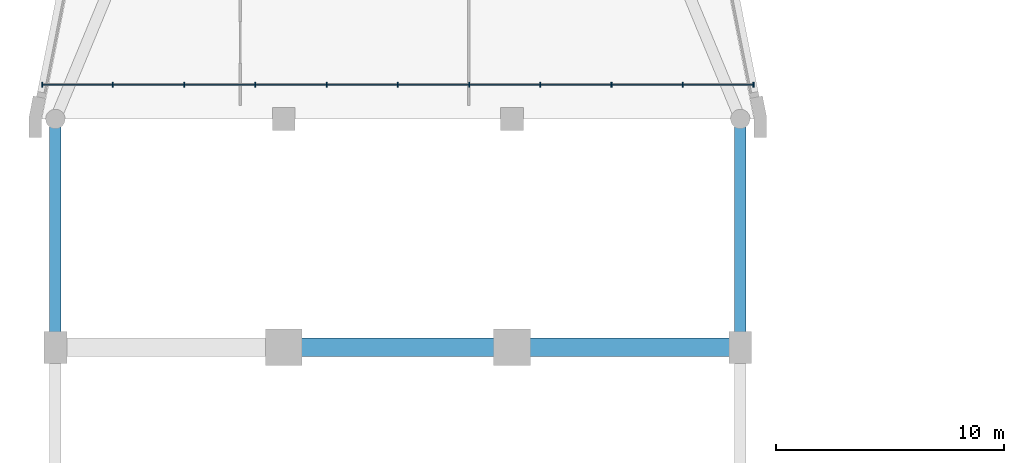
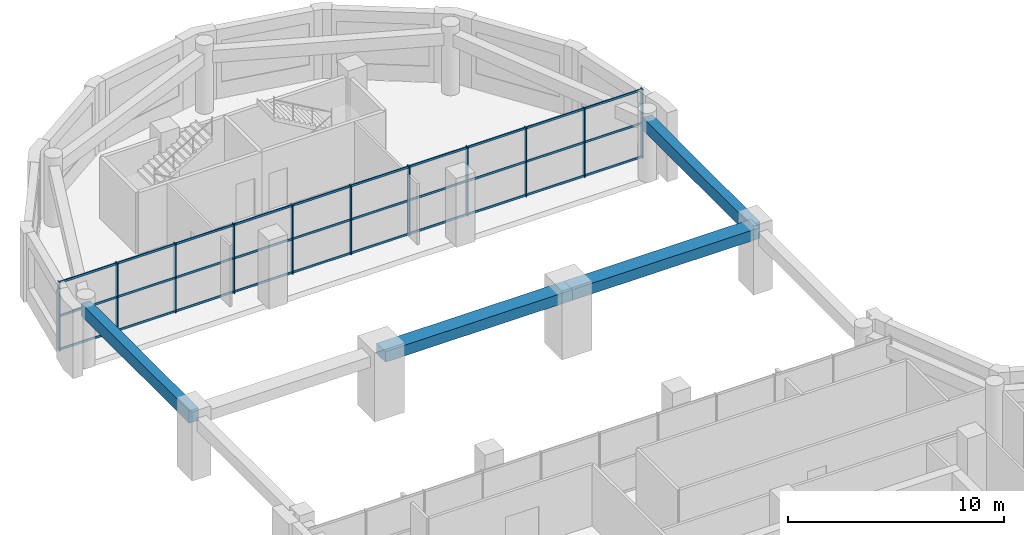
# One storey, part 3 of 11: 41 members, 4 beams, 1 element without a shape of its own.
"""IFC4 building model written with IfcOpenShell, lengths in metres."""

from ifc_helpers import new_model, si_unit, direction, frame, origin, origin_2d, place, context, subcontext, project, spatial, rectangle, extrude, material, layer, layer_set, material_profile, profile_set, type_object, element, aggregate, save


model = new_model("IFC4")

# Units and contexts
model_context = context("Model", 3, precision=1e-05, world=origin(), true_north=direction((0.0, 1.0)))
body_context = subcontext(model_context, "Body", "Model", "MODEL_VIEW")
ifc_project = project(units=[si_unit("LENGTHUNIT", "METRE"), si_unit("AREAUNIT", "SQUARE_METRE"), si_unit("VOLUMEUNIT", "CUBIC_METRE"), si_unit("PLANEANGLEUNIT", "RADIAN"), si_unit("MASSUNIT", "GRAM", prefix="KILO")], contexts=[model_context])

# Site, building, storey
site_placement = place(None, origin())
site = spatial("IfcSite", under=ifc_project, at=site_placement, CompositionType="ELEMENT")
building_placement = place(site_placement, origin())
building = spatial("IfcBuilding", under=site, at=building_placement, Name="Qaws Garden Tower", CompositionType="ELEMENT")
storey_placement = place(building_placement, frame((0.0, 0.0, 329.39990234375)))
storey = spatial("IfcBuildingStorey", under=building, at=storey_placement, Name="L80", CompositionType="ELEMENT", Elevation=329.39990234375)

# Curtain wall, members
ifc_material_1 = material(Name="Anodised aluminium curtain wall frame", Category="aluminium")
ifc_layer = layer(ifc_material_1, 0.159912109375)
ifc_layer_set = layer_set([ifc_layer], Name="Anodised aluminium curtain wall frame")
curtain_wall_type = type_object("IfcCurtainWallType", Name="CW5 portal screen curtain wall", PredefinedType="NOTDEFINED", material=ifc_layer_set)
curtain_wall_placement = place(storey_placement, origin())
curtain_wall = element("IfcCurtainWall", 1, at=curtain_wall_placement, inside=storey, type_object=curtain_wall_type, Name="CW5 Portal screen 1", PredefinedType="NOTDEFINED")
ifc_material_2 = material(Name="Anodised aluminium curtain wall frame", Category="aluminium")
ifc_material_profile_1 = material_profile(ifc_material_2, rectangle(XDim=0.199951171875, YDim=0.050048828125, at=origin_2d()), Name="AL 50x200")
ifc_profile_set_1 = profile_set([ifc_material_profile_1], Name="Anodised aluminium curtain wall frame")
member_type_1 = type_object("IfcMemberType", Name="CW5 mullion 50 x 200", PredefinedType="MULLION", material=ifc_profile_set_1)
member_1_placement = place(storey_placement, frame((-0.574951171875, 61.5, 0.0), z_axis=(0.0, 0.0, 1.0), x_axis=(0.0, 1.0, 0.0)))
member_1 = element("IfcMember", 2, at=member_1_placement, type_object=member_type_1, Name="CW5 mullion 1", PredefinedType="MULLION", context=body_context, shape_type="SweptSolid", body=[
    extrude(rectangle(XDim=0.199951171875, YDim=0.050048828125, at=origin_2d()), origin(), (0.0, 0.0, 1.0), 3.900146484375),
])
member_2_placement = place(storey_placement, frame((2.52001953125, 61.5, 0.0), z_axis=(0.0, 0.0, 1.0), x_axis=(0.0, 1.0, 0.0)))
member_2 = element("IfcMember", 3, at=member_2_placement, type_object=member_type_1, Name="CW5 mullion 2", PredefinedType="MULLION", context=body_context, shape_type="SweptSolid", body=[
    extrude(rectangle(XDim=0.199951171875, YDim=0.050048828125, at=origin_2d()), origin(), (0.0, 0.0, 1.0), 3.900146484375),
])
member_3_placement = place(storey_placement, frame((5.639892578125, 61.5, 0.0), z_axis=(0.0, 0.0, 1.0), x_axis=(0.0, 1.0, 0.0)))
member_3 = element("IfcMember", 4, at=member_3_placement, type_object=member_type_1, Name="CW5 mullion 3", PredefinedType="MULLION", context=body_context, shape_type="SweptSolid", body=[
    extrude(rectangle(XDim=0.199951171875, YDim=0.050048828125, at=origin_2d()), origin(), (0.0, 0.0, 1.0), 3.900146484375),
])
member_4_placement = place(storey_placement, frame((8.760009765625, 61.5, 0.0), z_axis=(0.0, 0.0, 1.0), x_axis=(0.0, 1.0, 0.0)))
member_4 = element("IfcMember", 5, at=member_4_placement, type_object=member_type_1, Name="CW5 mullion 4", PredefinedType="MULLION", context=body_context, shape_type="SweptSolid", body=[
    extrude(rectangle(XDim=0.199951171875, YDim=0.050048828125, at=origin_2d()), origin(), (0.0, 0.0, 1.0), 3.900146484375),
])
member_5_placement = place(storey_placement, frame((11.8798828125, 61.5, 0.0), z_axis=(0.0, 0.0, 1.0), x_axis=(0.0, 1.0, 0.0)))
member_5 = element("IfcMember", 6, at=member_5_placement, type_object=member_type_1, Name="CW5 mullion 5", PredefinedType="MULLION", context=body_context, shape_type="SweptSolid", body=[
    extrude(rectangle(XDim=0.199951171875, YDim=0.050048828125, at=origin_2d()), origin(), (0.0, 0.0, 1.0), 3.900146484375),
])
member_6_placement = place(storey_placement, frame((15.0, 61.5, 0.0), z_axis=(0.0, 0.0, 1.0), x_axis=(0.0, 1.0, 0.0)))
member_6 = element("IfcMember", 7, at=member_6_placement, type_object=member_type_1, Name="CW5 mullion 6", PredefinedType="MULLION", context=body_context, shape_type="SweptSolid", body=[
    extrude(rectangle(XDim=0.199951171875, YDim=0.050048828125, at=origin_2d()), origin(), (0.0, 0.0, 1.0), 3.900146484375),
])
member_7_placement = place(storey_placement, frame((18.1201171875, 61.5, 0.0), z_axis=(0.0, 0.0, 1.0), x_axis=(0.0, 1.0, 0.0)))
member_7 = element("IfcMember", 8, at=member_7_placement, type_object=member_type_1, Name="CW5 mullion 7", PredefinedType="MULLION", context=body_context, shape_type="SweptSolid", body=[
    extrude(rectangle(XDim=0.199951171875, YDim=0.050048828125, at=origin_2d()), origin(), (0.0, 0.0, 1.0), 3.900146484375),
])
member_8_placement = place(storey_placement, frame((21.239990234375, 61.5, 0.0), z_axis=(0.0, 0.0, 1.0), x_axis=(0.0, 1.0, 0.0)))
member_8 = element("IfcMember", 9, at=member_8_placement, type_object=member_type_1, Name="CW5 mullion 8", PredefinedType="MULLION", context=body_context, shape_type="SweptSolid", body=[
    extrude(rectangle(XDim=0.199951171875, YDim=0.050048828125, at=origin_2d()), origin(), (0.0, 0.0, 1.0), 3.900146484375),
])
member_9_placement = place(storey_placement, frame((24.360107421875, 61.5, 0.0), z_axis=(0.0, 0.0, 1.0), x_axis=(0.0, 1.0, 0.0)))
member_9 = element("IfcMember", 10, at=member_9_placement, type_object=member_type_1, Name="CW5 mullion 9", PredefinedType="MULLION", context=body_context, shape_type="SweptSolid", body=[
    extrude(rectangle(XDim=0.199951171875, YDim=0.050048828125, at=origin_2d()), origin(), (0.0, 0.0, 1.0), 3.900146484375),
])
member_10_placement = place(storey_placement, frame((27.47998046875, 61.5, 0.0), z_axis=(0.0, 0.0, 1.0), x_axis=(0.0, 1.0, 0.0)))
member_10 = element("IfcMember", 11, at=member_10_placement, type_object=member_type_1, Name="CW5 mullion 10", PredefinedType="MULLION", context=body_context, shape_type="SweptSolid", body=[
    extrude(rectangle(XDim=0.199951171875, YDim=0.050048828125, at=origin_2d()), origin(), (0.0, 0.0, 1.0), 3.900146484375),
])
member_11_placement = place(storey_placement, frame((30.574951171875, 61.5, 0.0), z_axis=(0.0, 0.0, 1.0), x_axis=(0.0, 1.0, 0.0)))
member_11 = element("IfcMember", 12, at=member_11_placement, type_object=member_type_1, Name="CW5 mullion 11", PredefinedType="MULLION", context=body_context, shape_type="SweptSolid", body=[
    extrude(rectangle(XDim=0.199951171875, YDim=0.050048828125, at=origin_2d()), origin(), (0.0, 0.0, 1.0), 3.900146484375),
])
ifc_material_3 = material(Name="Anodised aluminium curtain wall frame", Category="aluminium")
ifc_material_profile_2 = material_profile(ifc_material_3, rectangle(XDim=0.050048828125, YDim=0.1201171875, at=origin_2d()), Name="AL 50x120")
ifc_profile_set_2 = profile_set([ifc_material_profile_2], Name="Anodised aluminium curtain wall frame")
member_type_2 = type_object("IfcMemberType", Name="CW5 transom 120 x 50", PredefinedType="USERDEFINED", material=ifc_profile_set_2)
member_12_placement = place(storey_placement, frame((-0.550048828125, 61.5, 0.06005859375), z_axis=(1.0, 0.0, 0.0), x_axis=(0.0, 1.0, 0.0)))
member_12 = element("IfcMember", 13, at=member_12_placement, type_object=member_type_2, Name="CW5 transom 1.1", ObjectType="TRANSOM", PredefinedType="USERDEFINED", context=body_context, shape_type="SweptSolid", body=[
    extrude(rectangle(XDim=0.050048828125, YDim=0.1201171875, at=origin_2d()), origin(), (0.0, 0.0, 1.0), 3.045166015625),
])
member_13_placement = place(storey_placement, frame((-0.550048828125, 61.5, 1.9501953125), z_axis=(1.0, 0.0, 0.0), x_axis=(0.0, 1.0, 0.0)))
member_13 = element("IfcMember", 14, at=member_13_placement, type_object=member_type_2, Name="CW5 transom 1.2", ObjectType="TRANSOM", PredefinedType="USERDEFINED", context=body_context, shape_type="SweptSolid", body=[
    extrude(rectangle(XDim=0.050048828125, YDim=0.1201171875, at=origin_2d()), origin(), (0.0, 0.0, 1.0), 3.045166015625),
])
member_14_placement = place(storey_placement, frame((-0.550048828125, 61.5, 3.840087890625), z_axis=(1.0, 0.0, 0.0), x_axis=(0.0, 1.0, 0.0)))
member_14 = element("IfcMember", 15, at=member_14_placement, type_object=member_type_2, Name="CW5 transom 1.3", ObjectType="TRANSOM", PredefinedType="USERDEFINED", context=body_context, shape_type="SweptSolid", body=[
    extrude(rectangle(XDim=0.050048828125, YDim=0.1201171875, at=origin_2d()), origin(), (0.0, 0.0, 1.0), 3.045166015625),
])
member_15_placement = place(storey_placement, frame((2.544921875, 61.5, 0.06005859375), z_axis=(1.0, 0.0, 0.0), x_axis=(0.0, 1.0, 0.0)))
member_15 = element("IfcMember", 16, at=member_15_placement, type_object=member_type_2, Name="CW5 transom 2.1", ObjectType="TRANSOM", PredefinedType="USERDEFINED", context=body_context, shape_type="SweptSolid", body=[
    extrude(rectangle(XDim=0.050048828125, YDim=0.1201171875, at=origin_2d()), origin(), (0.0, 0.0, 1.0), 3.070068359375),
])
member_16_placement = place(storey_placement, frame((2.544921875, 61.5, 1.9501953125), z_axis=(1.0, 0.0, 0.0), x_axis=(0.0, 1.0, 0.0)))
member_16 = element("IfcMember", 17, at=member_16_placement, type_object=member_type_2, Name="CW5 transom 2.2", ObjectType="TRANSOM", PredefinedType="USERDEFINED", context=body_context, shape_type="SweptSolid", body=[
    extrude(rectangle(XDim=0.050048828125, YDim=0.1201171875, at=origin_2d()), origin(), (0.0, 0.0, 1.0), 3.070068359375),
])
member_17_placement = place(storey_placement, frame((2.544921875, 61.5, 3.840087890625), z_axis=(1.0, 0.0, 0.0), x_axis=(0.0, 1.0, 0.0)))
member_17 = element("IfcMember", 18, at=member_17_placement, type_object=member_type_2, Name="CW5 transom 2.3", ObjectType="TRANSOM", PredefinedType="USERDEFINED", context=body_context, shape_type="SweptSolid", body=[
    extrude(rectangle(XDim=0.050048828125, YDim=0.1201171875, at=origin_2d()), origin(), (0.0, 0.0, 1.0), 3.070068359375),
])
member_18_placement = place(storey_placement, frame((5.6650390625, 61.5, 0.06005859375), z_axis=(1.0, 0.0, 0.0), x_axis=(0.0, 1.0, 0.0)))
member_18 = element("IfcMember", 19, at=member_18_placement, type_object=member_type_2, Name="CW5 transom 3.1", ObjectType="TRANSOM", PredefinedType="USERDEFINED", context=body_context, shape_type="SweptSolid", body=[
    extrude(rectangle(XDim=0.050048828125, YDim=0.1201171875, at=origin_2d()), origin(), (0.0, 0.0, 1.0), 3.070068359375),
])
member_19_placement = place(storey_placement, frame((5.6650390625, 61.5, 1.9501953125), z_axis=(1.0, 0.0, 0.0), x_axis=(0.0, 1.0, 0.0)))
member_19 = element("IfcMember", 20, at=member_19_placement, type_object=member_type_2, Name="CW5 transom 3.2", ObjectType="TRANSOM", PredefinedType="USERDEFINED", context=body_context, shape_type="SweptSolid", body=[
    extrude(rectangle(XDim=0.050048828125, YDim=0.1201171875, at=origin_2d()), origin(), (0.0, 0.0, 1.0), 3.070068359375),
])
member_20_placement = place(storey_placement, frame((5.6650390625, 61.5, 3.840087890625), z_axis=(1.0, 0.0, 0.0), x_axis=(0.0, 1.0, 0.0)))
member_20 = element("IfcMember", 21, at=member_20_placement, type_object=member_type_2, Name="CW5 transom 3.3", ObjectType="TRANSOM", PredefinedType="USERDEFINED", context=body_context, shape_type="SweptSolid", body=[
    extrude(rectangle(XDim=0.050048828125, YDim=0.1201171875, at=origin_2d()), origin(), (0.0, 0.0, 1.0), 3.070068359375),
])
member_21_placement = place(storey_placement, frame((8.784912109375, 61.5, 0.06005859375), z_axis=(1.0, 0.0, 0.0), x_axis=(0.0, 1.0, 0.0)))
member_21 = element("IfcMember", 22, at=member_21_placement, type_object=member_type_2, Name="CW5 transom 4.1", ObjectType="TRANSOM", PredefinedType="USERDEFINED", context=body_context, shape_type="SweptSolid", body=[
    extrude(rectangle(XDim=0.050048828125, YDim=0.1201171875, at=origin_2d()), origin(), (0.0, 0.0, 1.0), 3.070068359375),
])
member_22_placement = place(storey_placement, frame((8.784912109375, 61.5, 1.9501953125), z_axis=(1.0, 0.0, 0.0), x_axis=(0.0, 1.0, 0.0)))
member_22 = element("IfcMember", 23, at=member_22_placement, type_object=member_type_2, Name="CW5 transom 4.2", ObjectType="TRANSOM", PredefinedType="USERDEFINED", context=body_context, shape_type="SweptSolid", body=[
    extrude(rectangle(XDim=0.050048828125, YDim=0.1201171875, at=origin_2d()), origin(), (0.0, 0.0, 1.0), 3.070068359375),
])
member_23_placement = place(storey_placement, frame((8.784912109375, 61.5, 3.840087890625), z_axis=(1.0, 0.0, 0.0), x_axis=(0.0, 1.0, 0.0)))
member_23 = element("IfcMember", 24, at=member_23_placement, type_object=member_type_2, Name="CW5 transom 4.3", ObjectType="TRANSOM", PredefinedType="USERDEFINED", context=body_context, shape_type="SweptSolid", body=[
    extrude(rectangle(XDim=0.050048828125, YDim=0.1201171875, at=origin_2d()), origin(), (0.0, 0.0, 1.0), 3.070068359375),
])
member_24_placement = place(storey_placement, frame((11.905029296875, 61.5, 0.06005859375), z_axis=(1.0, 0.0, 0.0), x_axis=(0.0, 1.0, 0.0)))
member_24 = element("IfcMember", 25, at=member_24_placement, type_object=member_type_2, Name="CW5 transom 5.1", ObjectType="TRANSOM", PredefinedType="USERDEFINED", context=body_context, shape_type="SweptSolid", body=[
    extrude(rectangle(XDim=0.050048828125, YDim=0.1201171875, at=origin_2d()), origin(), (0.0, 0.0, 1.0), 3.070068359375),
])
member_25_placement = place(storey_placement, frame((11.905029296875, 61.5, 1.9501953125), z_axis=(1.0, 0.0, 0.0), x_axis=(0.0, 1.0, 0.0)))
member_25 = element("IfcMember", 26, at=member_25_placement, type_object=member_type_2, Name="CW5 transom 5.2", ObjectType="TRANSOM", PredefinedType="USERDEFINED", context=body_context, shape_type="SweptSolid", body=[
    extrude(rectangle(XDim=0.050048828125, YDim=0.1201171875, at=origin_2d()), origin(), (0.0, 0.0, 1.0), 3.070068359375),
])
member_26_placement = place(storey_placement, frame((11.905029296875, 61.5, 3.840087890625), z_axis=(1.0, 0.0, 0.0), x_axis=(0.0, 1.0, 0.0)))
member_26 = element("IfcMember", 27, at=member_26_placement, type_object=member_type_2, Name="CW5 transom 5.3", ObjectType="TRANSOM", PredefinedType="USERDEFINED", context=body_context, shape_type="SweptSolid", body=[
    extrude(rectangle(XDim=0.050048828125, YDim=0.1201171875, at=origin_2d()), origin(), (0.0, 0.0, 1.0), 3.070068359375),
])
member_27_placement = place(storey_placement, frame((15.02490234375, 61.5, 0.06005859375), z_axis=(1.0, 0.0, 0.0), x_axis=(0.0, 1.0, 0.0)))
member_27 = element("IfcMember", 28, at=member_27_placement, type_object=member_type_2, Name="CW5 transom 6.1", ObjectType="TRANSOM", PredefinedType="USERDEFINED", context=body_context, shape_type="SweptSolid", body=[
    extrude(rectangle(XDim=0.050048828125, YDim=0.1201171875, at=origin_2d()), origin(), (0.0, 0.0, 1.0), 3.070068359375),
])
member_28_placement = place(storey_placement, frame((15.02490234375, 61.5, 1.9501953125), z_axis=(1.0, 0.0, 0.0), x_axis=(0.0, 1.0, 0.0)))
member_28 = element("IfcMember", 29, at=member_28_placement, type_object=member_type_2, Name="CW5 transom 6.2", ObjectType="TRANSOM", PredefinedType="USERDEFINED", context=body_context, shape_type="SweptSolid", body=[
    extrude(rectangle(XDim=0.050048828125, YDim=0.1201171875, at=origin_2d()), origin(), (0.0, 0.0, 1.0), 3.070068359375),
])
member_29_placement = place(storey_placement, frame((15.02490234375, 61.5, 3.840087890625), z_axis=(1.0, 0.0, 0.0), x_axis=(0.0, 1.0, 0.0)))
member_29 = element("IfcMember", 30, at=member_29_placement, type_object=member_type_2, Name="CW5 transom 6.3", ObjectType="TRANSOM", PredefinedType="USERDEFINED", context=body_context, shape_type="SweptSolid", body=[
    extrude(rectangle(XDim=0.050048828125, YDim=0.1201171875, at=origin_2d()), origin(), (0.0, 0.0, 1.0), 3.070068359375),
])
member_30_placement = place(storey_placement, frame((18.14501953125, 61.5, 0.06005859375), z_axis=(1.0, 0.0, 0.0), x_axis=(0.0, 1.0, 0.0)))
member_30 = element("IfcMember", 31, at=member_30_placement, type_object=member_type_2, Name="CW5 transom 7.1", ObjectType="TRANSOM", PredefinedType="USERDEFINED", context=body_context, shape_type="SweptSolid", body=[
    extrude(rectangle(XDim=0.050048828125, YDim=0.1201171875, at=origin_2d()), origin(), (0.0, 0.0, 1.0), 3.070068359375),
])
member_31_placement = place(storey_placement, frame((18.14501953125, 61.5, 1.9501953125), z_axis=(1.0, 0.0, 0.0), x_axis=(0.0, 1.0, 0.0)))
member_31 = element("IfcMember", 32, at=member_31_placement, type_object=member_type_2, Name="CW5 transom 7.2", ObjectType="TRANSOM", PredefinedType="USERDEFINED", context=body_context, shape_type="SweptSolid", body=[
    extrude(rectangle(XDim=0.050048828125, YDim=0.1201171875, at=origin_2d()), origin(), (0.0, 0.0, 1.0), 3.070068359375),
])
member_32_placement = place(storey_placement, frame((18.14501953125, 61.5, 3.840087890625), z_axis=(1.0, 0.0, 0.0), x_axis=(0.0, 1.0, 0.0)))
member_32 = element("IfcMember", 33, at=member_32_placement, type_object=member_type_2, Name="CW5 transom 7.3", ObjectType="TRANSOM", PredefinedType="USERDEFINED", context=body_context, shape_type="SweptSolid", body=[
    extrude(rectangle(XDim=0.050048828125, YDim=0.1201171875, at=origin_2d()), origin(), (0.0, 0.0, 1.0), 3.070068359375),
])
member_33_placement = place(storey_placement, frame((21.264892578125, 61.5, 0.06005859375), z_axis=(1.0, 0.0, 0.0), x_axis=(0.0, 1.0, 0.0)))
member_33 = element("IfcMember", 34, at=member_33_placement, type_object=member_type_2, Name="CW5 transom 8.1", ObjectType="TRANSOM", PredefinedType="USERDEFINED", context=body_context, shape_type="SweptSolid", body=[
    extrude(rectangle(XDim=0.050048828125, YDim=0.1201171875, at=origin_2d()), origin(), (0.0, 0.0, 1.0), 3.070068359375),
])
member_34_placement = place(storey_placement, frame((21.264892578125, 61.5, 1.9501953125), z_axis=(1.0, 0.0, 0.0), x_axis=(0.0, 1.0, 0.0)))
member_34 = element("IfcMember", 35, at=member_34_placement, type_object=member_type_2, Name="CW5 transom 8.2", ObjectType="TRANSOM", PredefinedType="USERDEFINED", context=body_context, shape_type="SweptSolid", body=[
    extrude(rectangle(XDim=0.050048828125, YDim=0.1201171875, at=origin_2d()), origin(), (0.0, 0.0, 1.0), 3.070068359375),
])
member_35_placement = place(storey_placement, frame((21.264892578125, 61.5, 3.840087890625), z_axis=(1.0, 0.0, 0.0), x_axis=(0.0, 1.0, 0.0)))
member_35 = element("IfcMember", 36, at=member_35_placement, type_object=member_type_2, Name="CW5 transom 8.3", ObjectType="TRANSOM", PredefinedType="USERDEFINED", context=body_context, shape_type="SweptSolid", body=[
    extrude(rectangle(XDim=0.050048828125, YDim=0.1201171875, at=origin_2d()), origin(), (0.0, 0.0, 1.0), 3.070068359375),
])
member_36_placement = place(storey_placement, frame((24.385009765625, 61.5, 0.06005859375), z_axis=(1.0, 0.0, 0.0), x_axis=(0.0, 1.0, 0.0)))
member_36 = element("IfcMember", 37, at=member_36_placement, type_object=member_type_2, Name="CW5 transom 9.1", ObjectType="TRANSOM", PredefinedType="USERDEFINED", context=body_context, shape_type="SweptSolid", body=[
    extrude(rectangle(XDim=0.050048828125, YDim=0.1201171875, at=origin_2d()), origin(), (0.0, 0.0, 1.0), 3.070068359375),
])
member_37_placement = place(storey_placement, frame((24.385009765625, 61.5, 1.9501953125), z_axis=(1.0, 0.0, 0.0), x_axis=(0.0, 1.0, 0.0)))
member_37 = element("IfcMember", 38, at=member_37_placement, type_object=member_type_2, Name="CW5 transom 9.2", ObjectType="TRANSOM", PredefinedType="USERDEFINED", context=body_context, shape_type="SweptSolid", body=[
    extrude(rectangle(XDim=0.050048828125, YDim=0.1201171875, at=origin_2d()), origin(), (0.0, 0.0, 1.0), 3.070068359375),
])
member_38_placement = place(storey_placement, frame((24.385009765625, 61.5, 3.840087890625), z_axis=(1.0, 0.0, 0.0), x_axis=(0.0, 1.0, 0.0)))
member_38 = element("IfcMember", 39, at=member_38_placement, type_object=member_type_2, Name="CW5 transom 9.3", ObjectType="TRANSOM", PredefinedType="USERDEFINED", context=body_context, shape_type="SweptSolid", body=[
    extrude(rectangle(XDim=0.050048828125, YDim=0.1201171875, at=origin_2d()), origin(), (0.0, 0.0, 1.0), 3.070068359375),
])
member_39_placement = place(storey_placement, frame((27.5048828125, 61.5, 0.06005859375), z_axis=(1.0, 0.0, 0.0), x_axis=(0.0, 1.0, 0.0)))
member_39 = element("IfcMember", 40, at=member_39_placement, type_object=member_type_2, Name="CW5 transom 10.1", ObjectType="TRANSOM", PredefinedType="USERDEFINED", context=body_context, shape_type="SweptSolid", body=[
    extrude(rectangle(XDim=0.050048828125, YDim=0.1201171875, at=origin_2d()), origin(), (0.0, 0.0, 1.0), 3.045166015625),
])
member_40_placement = place(storey_placement, frame((27.5048828125, 61.5, 1.9501953125), z_axis=(1.0, 0.0, 0.0), x_axis=(0.0, 1.0, 0.0)))
member_40 = element("IfcMember", 41, at=member_40_placement, type_object=member_type_2, Name="CW5 transom 10.2", ObjectType="TRANSOM", PredefinedType="USERDEFINED", context=body_context, shape_type="SweptSolid", body=[
    extrude(rectangle(XDim=0.050048828125, YDim=0.1201171875, at=origin_2d()), origin(), (0.0, 0.0, 1.0), 3.045166015625),
])
member_41_placement = place(storey_placement, frame((27.5048828125, 61.5, 3.840087890625), z_axis=(1.0, 0.0, 0.0), x_axis=(0.0, 1.0, 0.0)))
member_41 = element("IfcMember", 42, at=member_41_placement, type_object=member_type_2, Name="CW5 transom 10.3", ObjectType="TRANSOM", PredefinedType="USERDEFINED", context=body_context, shape_type="SweptSolid", body=[
    extrude(rectangle(XDim=0.050048828125, YDim=0.1201171875, at=origin_2d()), origin(), (0.0, 0.0, 1.0), 3.045166015625),
])
aggregate(curtain_wall, [member_1, member_2, member_3, member_4, member_5, member_6, member_7, member_8, member_9, member_10, member_11, member_12, member_13, member_14, member_15, member_16, member_17, member_18, member_19, member_20, member_21, member_22, member_23, member_24, member_25, member_26, member_27, member_28, member_29, member_30, member_31, member_32, member_33, member_34, member_35, member_36, member_37, member_38, member_39, member_40, member_41])

# Beams
ifc_material_4 = material(Name="Concrete C45", Category="concrete")
ifc_material_profile_3 = material_profile(ifc_material_4, rectangle(XDim=0.800048828125, YDim=0.60009765625, at=origin_2d()), Name="RC 800x600")
ifc_profile_set_3 = profile_set([ifc_material_profile_3], Name="Concrete C45")
beam_type_1 = type_object("IfcBeamType", Name="Portal edge beam RC 800x600 C45", PredefinedType="BEAM", material=ifc_profile_set_3)
for number, where, z_axis, x_axis, name in (
    (43, (10.0, 50.0, 3.150146484375), (1.0, 0.0, 0.0), (0.0, 1.0, 0.0), "Portal tie beam L80-2"),
    (44, (20.0, 50.0, 3.150146484375), (1.0, 0.0, 0.0), (0.0, 1.0, 0.0), "Portal tie beam L80-3"),
):
    element("IfcBeam", number, at=place(storey_placement, frame(where, z_axis=z_axis, x_axis=x_axis)), inside=storey, type_object=beam_type_1, Name=name, PredefinedType="BEAM", context=body_context, shape_type="SweptSolid", body=[
        extrude(rectangle(XDim=0.800048828125, YDim=0.60009765625, at=origin_2d()), origin(), (0.0, 0.0, 1.0), 10.0),
    ])
ifc_material_5 = material(Name="Concrete C45", Category="concrete")
ifc_material_profile_4 = material_profile(ifc_material_5, rectangle(XDim=0.5, YDim=0.699951171875, at=origin_2d()), Name="RC 500x700")
ifc_profile_set_4 = profile_set([ifc_material_profile_4], Name="Concrete C45")
beam_type_2 = type_object("IfcBeamType", Name="Spandrel beam RC 500x700 C45", PredefinedType="SPANDREL", material=ifc_profile_set_4)
for number, where, z_axis, x_axis, name in (
    (45, (30.0, 50.0, 3.10009765625), (0.0, 1.0, 0.0), (-1.0, 0.0, 0.0), "Spandrel beam L80-009"),
    (46, (0.0, 60.0, 3.10009765625), (0.0, -1.0, 0.0), (1.0, 0.0, 0.0), "Spandrel beam L80-014"),
):
    element("IfcBeam", number, at=place(storey_placement, frame(where, z_axis=z_axis, x_axis=x_axis)), inside=storey, type_object=beam_type_2, Name=name, PredefinedType="SPANDREL", context=body_context, shape_type="SweptSolid", body=[
        extrude(rectangle(XDim=0.5, YDim=0.699951171875, at=origin_2d()), origin(), (0.0, 0.0, 1.0), 10.0),
    ])

save(model, "model.ifc")
